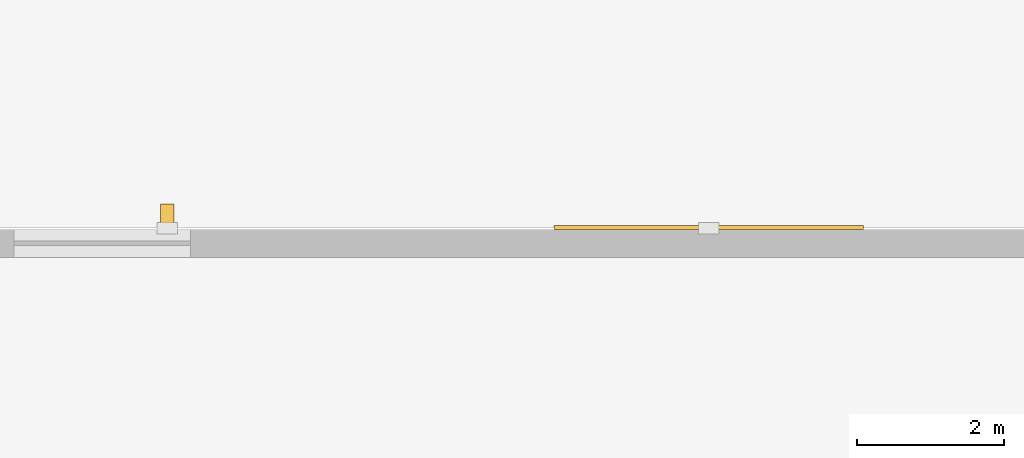
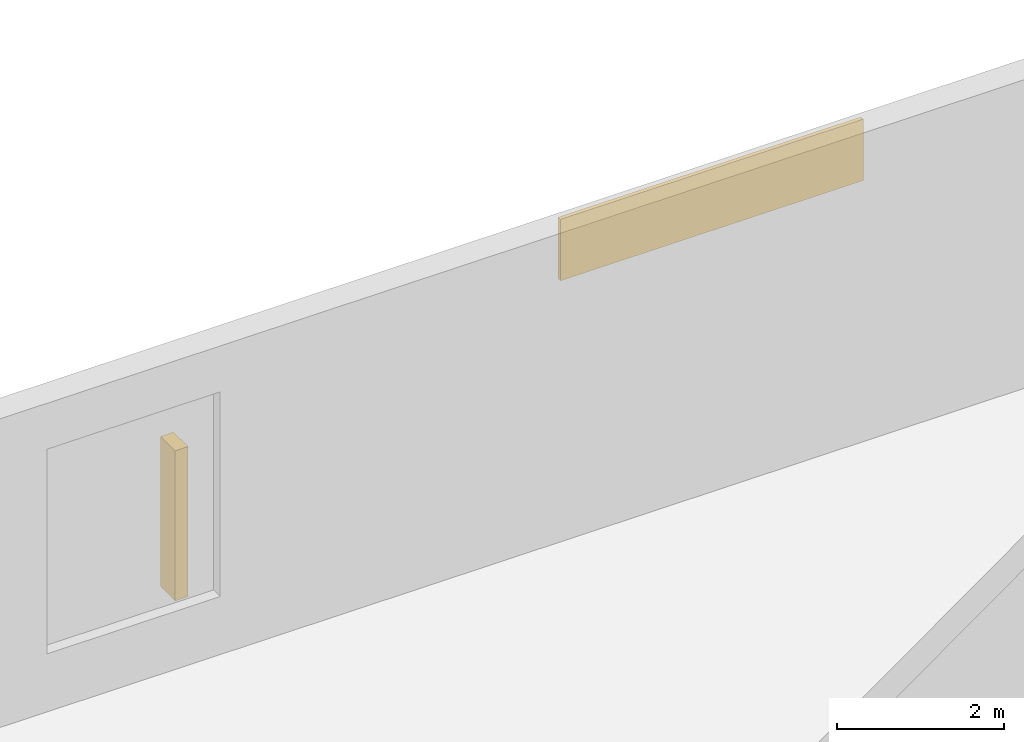
# One storey, part 21 of 22: 1 covering, 1 shading device.
"""IFC4 building model written with IfcOpenShell, lengths in metres."""

import ifcopenshell
import ifcopenshell.guid

model = None  # the IFC model being written
_history = None  # IfcOwnerHistory: only IFC2X3 demands one
_inside = {}  # id of a spatial element -> (the spatial element, [elements in it])
_under = {}  # id of a project, library or spatial element -> (it, [spatial elements below it])
_declared = {}  # id of a project -> (the project, [libraries it declares])
_typed = {}  # id of a type object -> (the type object, [elements of that type])
_made_of = {}  # id of a material, layer set ... -> (it, [elements and type objects made of it])


def new_model(schema):
    """Start an empty IFC model of exactly this schema.

    Asked for "IFC4X3", IfcOpenShell would pick the latest addendum, in which some entities
    have other attributes; the version numbers below select the first issue.
    IFC2X3 requires an IfcOwnerHistory on every rooted entity: one is made here for all.
    """
    global model, _history
    if schema == "IFC4X3":
        model = ifcopenshell.file(schema_version=(4, 3, 0, 0))
    else:
        model = ifcopenshell.file(schema=schema)
    _inside.clear()
    _under.clear()
    _declared.clear()
    _typed.clear()
    _made_of.clear()
    _history = None
    if model.schema == "IFC2X3":
        org = make("IfcOrganization", Name="unknown")
        user = make(
            "IfcPersonAndOrganization",
            ThePerson=make("IfcPerson", FamilyName="unknown"),
            TheOrganization=org,
        )
        app = make(
            "IfcApplication",
            ApplicationDeveloper=org,
            Version="unknown",
            ApplicationFullName="unknown",
            ApplicationIdentifier="unknown",
        )
        _history = make(
            "IfcOwnerHistory",
            OwningUser=user,
            OwningApplication=app,
            ChangeAction="ADDED",
            CreationDate=0,
        )
    return model


def make(cls, **values):
    """One entity of the class cls with the attributes given. An attribute that is None is left unset."""
    return model.create_entity(
        cls, **{name: value for name, value in values.items() if value is not None}
    )


def rooted(cls, **values):
    """An entity with a GlobalId (a new one), such as an element, a storey or a relation."""
    return make(cls, GlobalId=ifcopenshell.guid.new(), OwnerHistory=_history, **values)


def si_unit(unit_type, name, prefix=None):
    """IfcSIUnit, for example si_unit("LENGTHUNIT", "METRE", prefix="MILLI")."""
    return make("IfcSIUnit", UnitType=unit_type, Prefix=prefix, Name=name)


def assignment(units):
    """IfcUnitAssignment: the units of a project."""
    return None if units is None else make("IfcUnitAssignment", Units=units)


def point(xyz):
    """IfcCartesianPoint."""
    return None if xyz is None else make("IfcCartesianPoint", Coordinates=xyz)


def direction(xyz):
    """IfcDirection."""
    return None if xyz is None else make("IfcDirection", DirectionRatios=xyz)


def frame(location, z_axis=None, x_axis=None):
    """IfcAxis2Placement3D, a coordinate frame: its origin and axes. An axis left out is left unset."""
    return make(
        "IfcAxis2Placement3D",
        Location=point(location),
        Axis=direction(z_axis),
        RefDirection=direction(x_axis),
    )


def frame_2d(location, x_axis=None):
    """IfcAxis2Placement2D, a coordinate frame in the plane: its origin and x axis."""
    return make(
        "IfcAxis2Placement2D", Location=point(location), RefDirection=direction(x_axis)
    )


def origin():
    """The frame at (0, 0, 0) with its axes left unset."""
    return frame((0.0, 0.0, 0.0))


def origin_2d():
    """The frame at (0, 0) in the plane with its x axis left unset."""
    return frame_2d((0.0, 0.0))


def place(relative_to, where):
    """IfcLocalPlacement: puts the frame where relative to a parent placement (None: the world)."""
    return make(
        "IfcLocalPlacement", PlacementRelTo=relative_to, RelativePlacement=where
    )


def context(
    kind, dimensions, precision=None, world=None, true_north=None, identifier=None
):
    """IfcGeometricRepresentationContext, for example the 3D "Model" context."""
    return make(
        "IfcGeometricRepresentationContext",
        ContextIdentifier=identifier,
        ContextType=kind,
        CoordinateSpaceDimension=dimensions,
        Precision=precision,
        WorldCoordinateSystem=world,
        TrueNorth=true_north,
    )


def subcontext(parent, identifier, kind, view, scale=None):
    """IfcGeometricRepresentationSubContext, for example "Body" below "Model"."""
    return make(
        "IfcGeometricRepresentationSubContext",
        ContextIdentifier=identifier,
        ContextType=kind,
        ParentContext=parent,
        TargetScale=scale,
        TargetView=view,
    )


def project(units=None, contexts=None):
    """IfcProject with its units and contexts."""
    return rooted(
        "IfcProject",
        Name="project",
        RepresentationContexts=contexts,
        UnitsInContext=assignment(units),
    )


def spatial(cls, under=None, at=None, **own):
    """A site, building, storey or space (cls), placed at a placement, below another one or the project."""
    s = rooted(cls, ObjectPlacement=at, **own)
    if under is not None:
        _under.setdefault(under.id(), (under, []))[1].append(s)
    return s


def profile(cls, at=None, kind="AREA", **sizes):
    """A parametric profile (cls). Its sizes go by their IFC names, for example OverallWidth=200.0."""
    return make(cls, ProfileType=kind, Position=at, **sizes)


def rectangle(**sizes):
    """IfcRectangleProfileDef."""
    return profile("IfcRectangleProfileDef", **sizes)


def extrude(swept, where, along, depth):
    """IfcExtrudedAreaSolid: the profile swept, set in the frame where, extruded along a direction by depth."""
    return make(
        "IfcExtrudedAreaSolid",
        SweptArea=swept,
        Position=where,
        ExtrudedDirection=direction(along),
        Depth=depth,
    )


def shape(context_of_items, identifier, shape_type, items):
    """IfcShapeRepresentation: the items that make up one representation, for example the "Body"."""
    return make(
        "IfcShapeRepresentation",
        ContextOfItems=context_of_items,
        RepresentationIdentifier=identifier,
        RepresentationType=shape_type,
        Items=items,
    )


def source(mapping_origin, context_of_items, identifier, shape_type, items):
    """IfcRepresentationMap: a shape defined once, which mapped items show again and again."""
    return make(
        "IfcRepresentationMap",
        MappingOrigin=mapping_origin,
        MappedRepresentation=shape(context_of_items, identifier, shape_type, items),
    )


def transform(
    local_origin,
    x_axis=None,
    y_axis=None,
    z_axis=None,
    scale=None,
    scale2=None,
    scale3=None,
    uniform=True,
):
    """IfcCartesianTransformationOperator3D, or its non-uniform kind. x_axis, y_axis, z_axis: its Axis1, 2, 3."""
    if uniform:
        return make(
            "IfcCartesianTransformationOperator3D",
            Axis1=direction(x_axis),
            Axis2=direction(y_axis),
            LocalOrigin=point(local_origin),
            Scale=scale,
            Axis3=direction(z_axis),
        )
    return make(
        "IfcCartesianTransformationOperator3DnonUniform",
        Axis1=direction(x_axis),
        Axis2=direction(y_axis),
        LocalOrigin=point(local_origin),
        Scale=scale,
        Axis3=direction(z_axis),
        Scale2=scale2,
        Scale3=scale3,
    )


def mapped(mapping_source, mapping_target):
    """IfcMappedItem: shows the shape of a source again, moved by a transform."""
    return make(
        "IfcMappedItem", MappingSource=mapping_source, MappingTarget=mapping_target
    )


def material(Name=None, Category=None):
    """IfcMaterial."""
    return make("IfcMaterial", Name=Name, Category=Category)


def layer(
    of_material, thickness, ventilated=None, Name=None, Category=None, Priority=None
):
    """IfcMaterialLayer: one layer of a wall or slab, of a material (None: an air gap)."""
    return make(
        "IfcMaterialLayer",
        Material=of_material,
        LayerThickness=thickness,
        IsVentilated=ventilated,
        Name=Name,
        Category=Category,
        Priority=Priority,
    )


def layer_set(layers, Name=None):
    """IfcMaterialLayerSet."""
    return make("IfcMaterialLayerSet", MaterialLayers=layers, LayerSetName=Name)


def made_of(thing, what):
    """Note that an element or type object is made of a material, layer set ...; save() writes the relation."""
    if what is not None:
        _made_of.setdefault(what.id(), (what, []))[1].append(thing)
    return thing


def type_object(cls, material=None, **own):
    """A type object (cls), such as IfcWallType, which elements share."""
    return made_of(rooted(cls, **own), material)


def element(
    cls,
    number,
    at=None,
    inside=None,
    cuts=None,
    type_object=None,
    material=None,
    context=None,
    identifier="Body",
    shape_type=None,
    held_by="IfcProductDefinitionShape",
    body=None,
    shapes=None,
    **own,
):
    """One element of the class cls, such as IfcWall. Its Tag is "e" and its number.

    at: its placement. inside: the storey or other place that contains it. cuts: it is an
    opening in that element (IfcRelVoidsElement). A single representation is given by context,
    identifier, shape_type and body (its items); several are given by shapes. held_by: the class
    of the entity that holds the representations. save() writes the other relations.
    """
    e = rooted(cls, Tag="e%d" % number, ObjectPlacement=at, **own)
    if body is not None:
        shapes = [shape(context, identifier, shape_type, body)]
    if shapes is not None:
        e.Representation = make(held_by, Representations=shapes)
    if inside is not None:
        _inside.setdefault(inside.id(), (inside, []))[1].append(e)
    if cuts is not None:
        rooted(
            "IfcRelVoidsElement", RelatingBuildingElement=cuts, RelatedOpeningElement=e
        )
    if type_object is not None:
        _typed.setdefault(type_object.id(), (type_object, []))[1].append(e)
    return made_of(e, material)


def aggregate(whole, parts):
    """IfcRelAggregates: a whole, such as a stair, and the parts it consists of."""
    return rooted("IfcRelAggregates", RelatingObject=whole, RelatedObjects=parts)


def save(model, path):
    """Write the relations noted so far, then the file.

    IfcRelAggregates (storeys below a building ...), IfcRelContainedInSpatialStructure (elements
    in a storey), IfcRelDefinesByType, IfcRelAssociatesMaterial and IfcRelDeclares: one each for
    every whole, place, type object, material and project.
    """
    for whole, parts in _under.values():
        aggregate(whole, parts)
    for where, things in _inside.values():
        rooted(
            "IfcRelContainedInSpatialStructure",
            RelatedElements=things,
            RelatingStructure=where,
        )
    for kind, things in _typed.values():
        rooted("IfcRelDefinesByType", RelatedObjects=things, RelatingType=kind)
    for what, things in _made_of.values():
        rooted("IfcRelAssociatesMaterial", RelatedObjects=things, RelatingMaterial=what)
    for by, libraries in _declared.values():
        rooted("IfcRelDeclares", RelatingContext=by, RelatedDefinitions=libraries)
    model.write(path)


model = new_model("IFC4")

# Units and contexts
model_context = context("Model", 3, precision=1e-05, world=origin(), true_north=direction((0.0, 1.0)))
body_context = subcontext(model_context, "Body", "Model", "MODEL_VIEW")
ifc_project = project(units=[si_unit("LENGTHUNIT", "METRE"), si_unit("AREAUNIT", "SQUARE_METRE"), si_unit("VOLUMEUNIT", "CUBIC_METRE"), si_unit("PLANEANGLEUNIT", "RADIAN"), si_unit("MASSUNIT", "GRAM", prefix="KILO")], contexts=[model_context])

# Site, building, storey
site_placement = place(None, origin())
site = spatial("IfcSite", under=ifc_project, at=site_placement, CompositionType="ELEMENT")
building_placement = place(site_placement, origin())
building = spatial("IfcBuilding", under=site, at=building_placement, Name="Olszyna Solenne Hotel", CompositionType="ELEMENT")
storey_placement = place(building_placement, origin())
storey = spatial("IfcBuildingStorey", under=building, at=storey_placement, Name="L00", CompositionType="ELEMENT", Elevation=0.0)

# Covering
ifc_material = material(Name="Terracotta cladding", Category="masonry")
ifc_layer = layer(ifc_material, 0.054931640625, Name="Terracotta cladding")
ifc_layer_set = layer_set([ifc_layer], Name="Terracotta cladding")
covering_type = type_object("IfcCoveringType", Name="CD-TC1", PredefinedType="CLADDING", material=ifc_layer_set)
shared_shape_1 = source(origin(), body_context, "Body", "SweptSolid", [
    extrude(rectangle(XDim=4.199951171875, YDim=0.054931640625, at=origin_2d()), origin(), (0.0, 0.0, 1.0), 0.89990234375),
])
covering_placement = place(storey_placement, frame((59.300048828125, 50.62255859375, 3.52197265625), z_axis=(0.0, 0.0, 1.0), x_axis=(1.0, 0.0, 0.0)))
element("IfcCovering", 1, at=covering_placement, inside=storey, type_object=covering_type, Name="Fluted terracotta rainscreen band CD-L00-NE", PredefinedType="CLADDING", context=body_context, shape_type="MappedRepresentation", body=[
    mapped(shared_shape_1, transform((0.0, 0.0, 0.0), x_axis=(1.0, 0.0, 0.0), y_axis=(0.0, 1.0, 0.0), z_axis=(0.0, 0.0, 1.0), scale=1.0)),
])

# Shading device
shading_device_type = type_object("IfcShadingDeviceType", Name="SH-FN1", PredefinedType="USERDEFINED", material=ifc_material)
shared_shape_2 = source(origin(), body_context, "Body", "SweptSolid", [
    extrude(rectangle(XDim=0.179931640625, YDim=0.35009765625, at=origin_2d()), origin(), (0.0, 0.0, 1.0), 2.199951171875),
])
shading_device_placement = place(storey_placement, frame((51.949951171875, 50.77001953125, 0.7001953125), z_axis=(0.0, 0.0, 1.0), x_axis=(1.0, 0.0, 0.0)))
element("IfcShadingDevice", 2, at=shading_device_placement, inside=storey, type_object=shading_device_type, Name="Vertical terracotta facade fin FN-L00-NE", ObjectType="FIN", PredefinedType="USERDEFINED", context=body_context, shape_type="MappedRepresentation", body=[
    mapped(shared_shape_2, transform((0.0, 0.0, 0.0), x_axis=(1.0, 0.0, 0.0), y_axis=(0.0, 1.0, 0.0), z_axis=(0.0, 0.0, 1.0), scale=1.0)),
])

save(model, "model.ifc")
